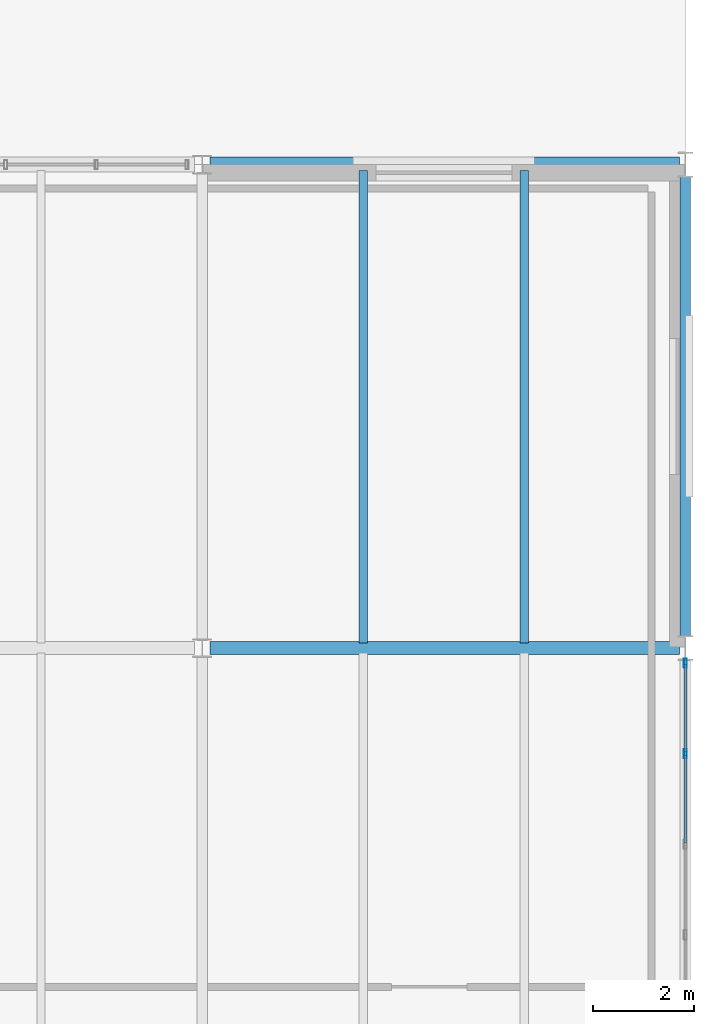
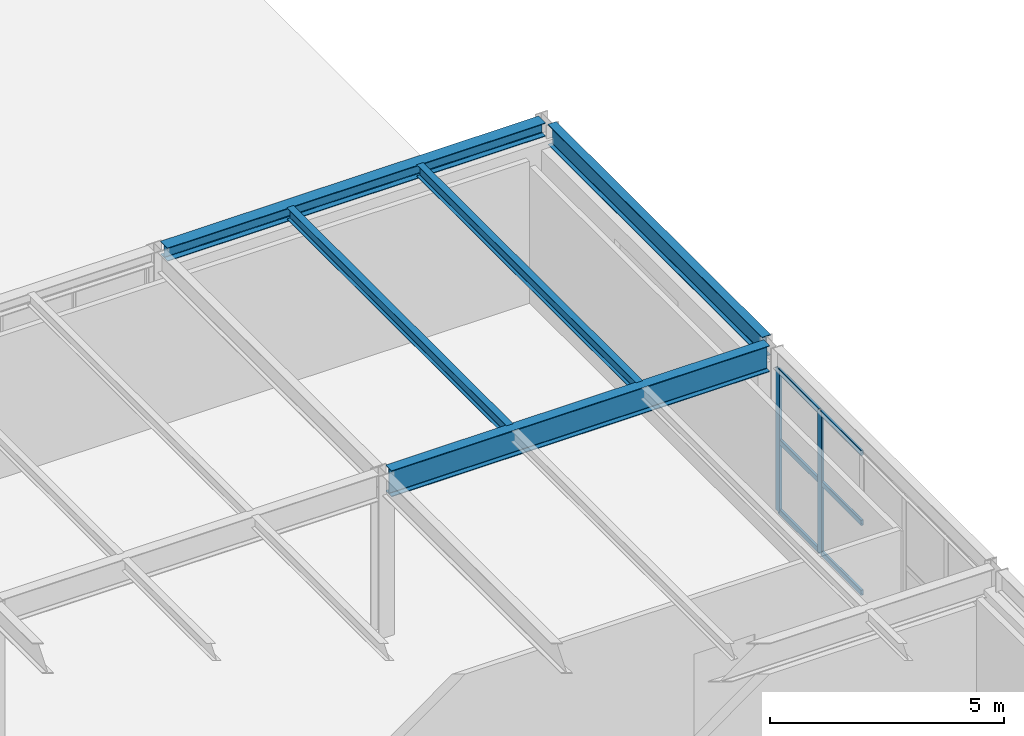
# One storey, part 125 of 170: 8 members, 5 beams, 1 element without a shape of its own.
"""IFC4 building model written with IfcOpenShell, lengths in metres."""

from ifc_helpers import new_model, si_unit, direction, frame, origin, origin_2d, place, context, subcontext, project, spatial, hollow_rectangle, i_section, extrude, material, material_profile, profile_set, type_object, element, aggregate, save


model = new_model("IFC4")

# Units and contexts
model_context = context("Model", 3, precision=1e-05, world=origin(), true_north=direction((0.0, 1.0)))
body_context = subcontext(model_context, "Body", "Model", "MODEL_VIEW")
ifc_project = project(units=[si_unit("LENGTHUNIT", "METRE"), si_unit("AREAUNIT", "SQUARE_METRE"), si_unit("VOLUMEUNIT", "CUBIC_METRE"), si_unit("PLANEANGLEUNIT", "RADIAN"), si_unit("MASSUNIT", "GRAM", prefix="KILO")], contexts=[model_context])

# Site, building, storey
site_placement = place(None, origin())
site = spatial("IfcSite", under=ifc_project, at=site_placement, CompositionType="ELEMENT")
building_placement = place(site_placement, origin())
building = spatial("IfcBuilding", under=site, at=building_placement, Name="Coralgate Yard Interchange", CompositionType="ELEMENT")
storey_placement = place(building_placement, frame((0.0, 0.0, 6.0)))
storey = spatial("IfcBuildingStorey", under=building, at=storey_placement, Name="L01", CompositionType="ELEMENT", Elevation=6.0)

# Beams
ifc_material_1 = material(Name="Structural steel S355J2", Category="steel")
ifc_material_profile_1 = material_profile(ifc_material_1, i_section(OverallWidth=0.209228515625, OverallDepth=0.533203125, WebThickness=0.010009765625, FlangeThickness=0.015625, FilletRadius=0.0126953125, at=origin_2d()), Name="UB 533x210x92")
ifc_profile_set_1 = profile_set([ifc_material_profile_1], Name="Structural steel S355J2")
beam_type_1 = type_object("IfcBeamType", Name="BM-SB-1", PredefinedType="BEAM", material=ifc_profile_set_1)
beam_1_placement = place(storey_placement, frame((182.39990234375, 19.419921875, 3.9833984375), z_axis=(0.0, 1.0, 0.0), x_axis=(-1.0, 0.0, 0.0)))
element("IfcBeam", 1, at=beam_1_placement, inside=storey, type_object=beam_type_1, Name="L01 primary grid girder X19 Y2-3", PredefinedType="BEAM", context=body_context, shape_type="SweptSolid", body=[
    extrude(i_section(OverallWidth=0.209228515625, OverallDepth=0.533203125, WebThickness=0.010009765625, FlangeThickness=0.015625, FilletRadius=0.0126953125, at=origin_2d()), origin(), (0.0, 0.0, 1.0), 9.16015625),
])
ifc_material_profile_2 = material_profile(ifc_material_1, i_section(OverallWidth=0.253662109375, OverallDepth=0.68359375, WebThickness=0.012451171875, FlangeThickness=0.01904296875, FilletRadius=0.01513671875, at=origin_2d()), Name="UB 686x254x140")
ifc_profile_set_2 = profile_set([ifc_material_profile_2], Name="Structural steel S355J2")
beam_type_2 = type_object("IfcBeamType", Name="BM-SG-4", PredefinedType="BEAM", material=ifc_profile_set_2)
beam_2_placement = place(storey_placement, frame((172.956298828125, 19.199951171875, 3.908203125), z_axis=(1.0, 0.0, 0.0), x_axis=(0.0, 1.0, 0.0)))
element("IfcBeam", 2, at=beam_2_placement, inside=storey, type_object=beam_type_2, Name="L01 primary grid beam Y2 X18-19", PredefinedType="BEAM", context=body_context, shape_type="SweptSolid", body=[
    extrude(i_section(OverallWidth=0.253662109375, OverallDepth=0.68359375, WebThickness=0.012451171875, FlangeThickness=0.01904296875, FilletRadius=0.01513671875, at=origin_2d()), origin(), (0.0, 0.0, 1.0), 9.32373046875),
])
ifc_material_profile_3 = material_profile(ifc_material_1, i_section(OverallWidth=0.1650390625, OverallDepth=0.303466796875, WebThickness=0.006103515625, FlangeThickness=0.01025390625, FilletRadius=0.0087890625, at=origin_2d()), Name="UB 305x165x40")
ifc_profile_set_3 = profile_set([ifc_material_profile_3], Name="Structural steel S355J2")
beam_type_3 = type_object("IfcBeamType", Name="BM-SJ-1", PredefinedType="JOIST", material=ifc_profile_set_3)
for number, where, z_axis, x_axis, name in (
    (3, (176.0, 19.296875, 4.098388671875), (0.0, 1.0, 0.0), (-1.0, 0.0, 0.0), "L01 composite floor joist 18-2-1"),
    (4, (179.199951171875, 19.296875, 4.098388671875), (0.0, 1.0, 0.0), (-1.0, 0.0, 0.0), "L01 composite floor joist 18-2-2"),
):
    element("IfcBeam", number, at=place(storey_placement, frame(where, z_axis=z_axis, x_axis=x_axis)), inside=storey, type_object=beam_type_3, Name=name, PredefinedType="JOIST", context=body_context, shape_type="SweptSolid", body=[
        extrude(i_section(OverallWidth=0.1650390625, OverallDepth=0.303466796875, WebThickness=0.006103515625, FlangeThickness=0.01025390625, FilletRadius=0.0087890625, at=origin_2d()), origin(), (0.0, 0.0, 1.0), 9.383056640625),
    ])
ifc_material_profile_4 = material_profile(ifc_material_1, i_section(OverallWidth=0.300048828125, OverallDepth=0.35009765625, WebThickness=0.010009765625, FlangeThickness=0.017578125, FilletRadius=0.027099609375, at=origin_2d()), Name="HEA 360")
ifc_profile_set_4 = profile_set([ifc_material_profile_4], Name="Structural steel S355J2")
beam_type_4 = type_object("IfcBeamType", Name="BM-SP-1", PredefinedType="SPANDREL", material=ifc_profile_set_4)
beam_3_placement = place(storey_placement, frame((172.956298828125, 28.800048828125, 4.074951171875), z_axis=(1.0, 0.0, 0.0), x_axis=(0.0, 1.0, 0.0)))
element("IfcBeam", 5, at=beam_3_placement, inside=storey, type_object=beam_type_4, Name="L01 primary grid beam Y3 X18-19", PredefinedType="SPANDREL", context=body_context, shape_type="SweptSolid", body=[
    extrude(i_section(OverallWidth=0.300048828125, OverallDepth=0.35009765625, WebThickness=0.010009765625, FlangeThickness=0.017578125, FilletRadius=0.027099609375, at=origin_2d()), origin(), (0.0, 0.0, 1.0), 9.32373046875),
])

# Curtain wall, members
ifc_material_2 = material(Name="Anodised coastal aluminium and solar-control low-E glass", Category="aluminium")
curtain_wall_type = type_object("IfcCurtainWallType", Name="CW-CW-L01-B", PredefinedType="NOTDEFINED", material=ifc_material_2)
curtain_wall_placement = place(storey_placement, origin())
curtain_wall = element("IfcCurtainWall", 6, at=curtain_wall_placement, inside=storey, type_object=curtain_wall_type, Name="L01 unitised curtain wall CW-L01-E-18-01", PredefinedType="NOTDEFINED")
ifc_material_3 = material(Name="Anodised coastal aluminium 6063-T6", Category="aluminium")
ifc_material_profile_5 = material_profile(ifc_material_3, hollow_rectangle(XDim=0.06005859375, YDim=0.179931640625, WallThickness=0.00390625, InnerFilletRadius=0.00390625, OuterFilletRadius=0.008056640625, at=origin_2d()), Name="ALU 60x180x4")
ifc_profile_set_5 = profile_set([ifc_material_profile_5], Name="Anodised coastal aluminium 6063-T6")
member_type_1 = type_object("IfcMemberType", Name="MB-MUL-180", PredefinedType="MULLION", material=ifc_profile_set_5)
member_1_placement = place(storey_placement, frame((182.39990234375, 18.89990234375, 0.0), z_axis=(0.0, 0.0, 1.0), x_axis=(1.0, 0.0, 0.0)))
member_1 = element("IfcMember", 7, at=member_1_placement, type_object=member_type_1, Name="CW-L01-E-18-01 vertical mullion 1", PredefinedType="MULLION", context=body_context, shape_type="SweptSolid", body=[
    extrude(hollow_rectangle(XDim=0.06005859375, YDim=0.179931640625, WallThickness=0.00390625, InnerFilletRadius=0.00390625, OuterFilletRadius=0.008056640625, at=origin_2d()), origin(), (0.0, 0.0, 1.0), 3.716796875),
])
member_2_placement = place(storey_placement, frame((182.39990234375, 17.10009765625, 0.0), z_axis=(0.0, 0.0, 1.0), x_axis=(1.0, 0.0, 0.0)))
member_2 = element("IfcMember", 8, at=member_2_placement, type_object=member_type_1, Name="CW-L01-E-18-01 vertical mullion 2", PredefinedType="MULLION", context=body_context, shape_type="SweptSolid", body=[
    extrude(hollow_rectangle(XDim=0.06005859375, YDim=0.179931640625, WallThickness=0.00390625, InnerFilletRadius=0.00390625, OuterFilletRadius=0.008056640625, at=origin_2d()), origin(), (0.0, 0.0, 1.0), 3.716796875),
])
ifc_material_profile_6 = material_profile(ifc_material_3, hollow_rectangle(XDim=0.06005859375, YDim=0.139892578125, WallThickness=0.00341796875, InnerFilletRadius=0.00341796875, OuterFilletRadius=0.007080078125, at=origin_2d()), Name="ALU 60x140x3.5")
ifc_profile_set_6 = profile_set([ifc_material_profile_6], Name="Anodised coastal aluminium 6063-T6")
member_type_2 = type_object("IfcMemberType", Name="MB-TRN-140", PredefinedType="USERDEFINED", material=ifc_profile_set_6)
member_3_placement = place(storey_placement, frame((182.39990234375, 18.8701171875, 0.034912109375), z_axis=(0.0, -1.0, 0.0), x_axis=(1.0, 0.0, 0.0)))
member_3 = element("IfcMember", 9, at=member_3_placement, type_object=member_type_2, Name="CW-L01-E-18-01 horizontal transom 1-1", ObjectType="TRANSOM", PredefinedType="USERDEFINED", context=body_context, shape_type="SweptSolid", body=[
    extrude(hollow_rectangle(XDim=0.06005859375, YDim=0.139892578125, WallThickness=0.00341796875, InnerFilletRadius=0.00341796875, OuterFilletRadius=0.007080078125, at=origin_2d()), origin(), (0.0, 0.0, 1.0), 1.740234375),
])
member_4_placement = place(storey_placement, frame((182.39990234375, 18.8701171875, 1.8583984375), z_axis=(0.0, -1.0, 0.0), x_axis=(1.0, 0.0, 0.0)))
member_4 = element("IfcMember", 10, at=member_4_placement, type_object=member_type_2, Name="CW-L01-E-18-01 horizontal transom 1-2", ObjectType="TRANSOM", PredefinedType="USERDEFINED", context=body_context, shape_type="SweptSolid", body=[
    extrude(hollow_rectangle(XDim=0.06005859375, YDim=0.139892578125, WallThickness=0.00341796875, InnerFilletRadius=0.00341796875, OuterFilletRadius=0.007080078125, at=origin_2d()), origin(), (0.0, 0.0, 1.0), 1.740234375),
])
member_5_placement = place(storey_placement, frame((182.39990234375, 18.8701171875, 3.681884765625), z_axis=(0.0, -1.0, 0.0), x_axis=(1.0, 0.0, 0.0)))
member_5 = element("IfcMember", 11, at=member_5_placement, type_object=member_type_2, Name="CW-L01-E-18-01 horizontal transom 1-3", ObjectType="TRANSOM", PredefinedType="USERDEFINED", context=body_context, shape_type="SweptSolid", body=[
    extrude(hollow_rectangle(XDim=0.06005859375, YDim=0.139892578125, WallThickness=0.00341796875, InnerFilletRadius=0.00341796875, OuterFilletRadius=0.007080078125, at=origin_2d()), origin(), (0.0, 0.0, 1.0), 1.740234375),
])
member_6_placement = place(storey_placement, frame((182.39990234375, 17.070068359375, 0.034912109375), z_axis=(0.0, -1.0, 0.0), x_axis=(1.0, 0.0, 0.0)))
member_6 = element("IfcMember", 12, at=member_6_placement, type_object=member_type_2, Name="CW-L01-E-18-01 horizontal transom 2-1", ObjectType="TRANSOM", PredefinedType="USERDEFINED", context=body_context, shape_type="SweptSolid", body=[
    extrude(hollow_rectangle(XDim=0.06005859375, YDim=0.139892578125, WallThickness=0.00341796875, InnerFilletRadius=0.00341796875, OuterFilletRadius=0.007080078125, at=origin_2d()), origin(), (0.0, 0.0, 1.0), 1.739990234375),
])
member_7_placement = place(storey_placement, frame((182.39990234375, 17.070068359375, 1.8583984375), z_axis=(0.0, -1.0, 0.0), x_axis=(1.0, 0.0, 0.0)))
member_7 = element("IfcMember", 13, at=member_7_placement, type_object=member_type_2, Name="CW-L01-E-18-01 horizontal transom 2-2", ObjectType="TRANSOM", PredefinedType="USERDEFINED", context=body_context, shape_type="SweptSolid", body=[
    extrude(hollow_rectangle(XDim=0.06005859375, YDim=0.139892578125, WallThickness=0.00341796875, InnerFilletRadius=0.00341796875, OuterFilletRadius=0.007080078125, at=origin_2d()), origin(), (0.0, 0.0, 1.0), 1.739990234375),
])
member_8_placement = place(storey_placement, frame((182.39990234375, 17.070068359375, 3.681884765625), z_axis=(0.0, -1.0, 0.0), x_axis=(1.0, 0.0, 0.0)))
member_8 = element("IfcMember", 14, at=member_8_placement, type_object=member_type_2, Name="CW-L01-E-18-01 horizontal transom 2-3", ObjectType="TRANSOM", PredefinedType="USERDEFINED", context=body_context, shape_type="SweptSolid", body=[
    extrude(hollow_rectangle(XDim=0.06005859375, YDim=0.139892578125, WallThickness=0.00341796875, InnerFilletRadius=0.00341796875, OuterFilletRadius=0.007080078125, at=origin_2d()), origin(), (0.0, 0.0, 1.0), 1.739990234375),
])
aggregate(curtain_wall, [member_1, member_2, member_3, member_4, member_5, member_6, member_7, member_8])

save(model, "model.ifc")
